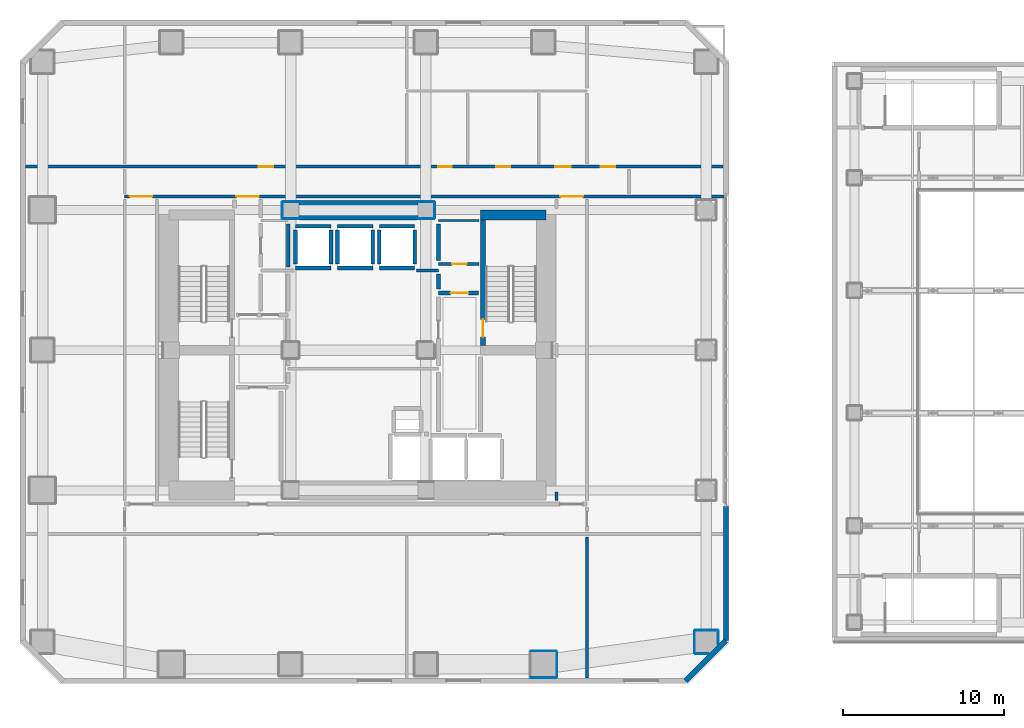
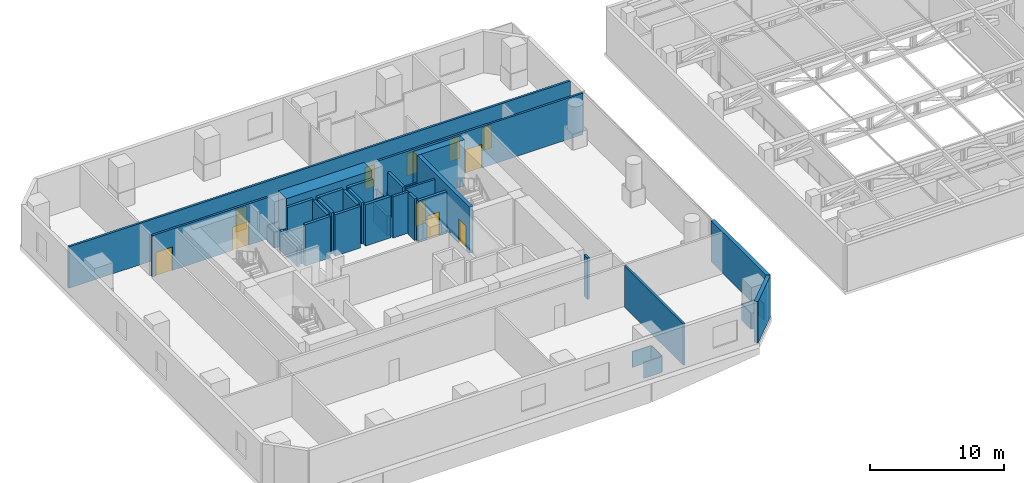
# One storey, part 20 of 25: 41 walls, 11 doors, 11 openings.
"""IFC4 building model written with IfcOpenShell, lengths in metres."""

from ifc_helpers import new_model, si_unit, direction, frame, frame_2d, origin, place, context, subcontext, project, spatial, rectangle, extrude, material, layer, layer_set, type_object, element, fill, save


model = new_model("IFC4")

# Units and contexts
model_context = context("Model", 3, precision=1e-05, world=origin(), true_north=direction((0.0, 1.0)))
body_context = subcontext(model_context, "Body", "Model", "MODEL_VIEW")
ifc_project = project(units=[si_unit("LENGTHUNIT", "METRE"), si_unit("AREAUNIT", "SQUARE_METRE"), si_unit("VOLUMEUNIT", "CUBIC_METRE"), si_unit("PLANEANGLEUNIT", "RADIAN"), si_unit("MASSUNIT", "GRAM", prefix="KILO")], contexts=[model_context])

# Site, building, storey
site_placement = place(None, origin())
site = spatial("IfcSite", under=ifc_project, at=site_placement, CompositionType="ELEMENT")
building_placement = place(site_placement, origin())
building = spatial("IfcBuilding", under=site, at=building_placement, Name="Solanera Arch Residences", CompositionType="ELEMENT")
storey_placement = place(building_placement, frame((0.0, 0.0, 17.800048828125)))
storey = spatial("IfcBuildingStorey", under=building, at=storey_placement, Name="L04", CompositionType="ELEMENT", Elevation=17.800048828125)

# Walls
ifc_material_1 = material(Name="Fire-Rated Gypsum Stud Partition", Category="gypsum")
ifc_layer_1 = layer(ifc_material_1, 0.06005859375)
ifc_layer_set_1 = layer_set([ifc_layer_1], Name="Fire-Rated Gypsum Stud Partition")
wall_type_1 = type_object("IfcWallType", Name="Column Acoustic Furring Wall 60", PredefinedType="PARTITIONING", material=ifc_layer_set_1)
for number, where, z_axis, x_axis, name in (
    (1, (20.300048828125, 38.867919921875, 0.0), (0.0, 0.0, 1.0), (1.0, 0.0, 0.0), "L04 Column Furring 3S"),
    (2, (20.300048828125, 39.931884765625, 0.0), (0.0, 0.0, 1.0), (1.0, 0.0, 0.0), "L04 Column Furring 3N"),
):
    element("IfcWall", number, at=place(storey_placement, frame(where, z_axis=z_axis, x_axis=x_axis)), inside=storey, type_object=wall_type_1, Name=name, PredefinedType="PARTITIONING", context=body_context, shape_type="SweptSolid", body=[
        extrude(rectangle(XDim=0.989990234375, YDim=0.06005859375, at=frame_2d((0.4951171875, 0.0))), origin(), (0.0, 0.0, 1.0), 1.449951171875),
    ])
wall_1_placement = place(storey_placement, frame((20.26806640625, 38.89990234375, 0.0), z_axis=(0.0, 0.0, 1.0), x_axis=(0.0, 1.0, 0.0)))
element("IfcWall", 3, at=wall_1_placement, inside=storey, type_object=wall_type_1, Name="L04 Column Furring 3W", PredefinedType="PARTITIONING", context=body_context, shape_type="SweptSolid", body=[
    extrude(rectangle(XDim=1.0, YDim=0.06005859375, at=frame_2d((0.5, 0.0))), origin(), (0.0, 0.0, 1.0), 1.449951171875),
])
for number, where, z_axis, x_axis, name in (
    (4, (28.7099609375, 38.867919921875, 0.0), (0.0, 0.0, 1.0), (1.0, 0.0, 0.0), "L04 Column Furring 4S"),
    (5, (28.7099609375, 39.931884765625, 0.0), (0.0, 0.0, 1.0), (1.0, 0.0, 0.0), "L04 Column Furring 4N"),
):
    element("IfcWall", number, at=place(storey_placement, frame(where, z_axis=z_axis, x_axis=x_axis)), inside=storey, type_object=wall_type_1, Name=name, PredefinedType="PARTITIONING", context=body_context, shape_type="SweptSolid", body=[
        extrude(rectangle(XDim=0.989990234375, YDim=0.06005859375, at=frame_2d((0.4951171875, 0.0))), origin(), (0.0, 0.0, 1.0), 1.449951171875),
    ])
wall_2_placement = place(storey_placement, frame((29.73193359375, 38.89990234375, 0.0), z_axis=(0.0, 0.0, 1.0), x_axis=(0.0, 1.0, 0.0)))
element("IfcWall", 6, at=wall_2_placement, inside=storey, type_object=wall_type_1, Name="L04 Column Furring 4E", PredefinedType="PARTITIONING", context=body_context, shape_type="SweptSolid", body=[
    extrude(rectangle(XDim=1.0, YDim=0.06005859375, at=frame_2d((0.5, 0.0))), origin(), (0.0, 0.0, 1.0), 1.449951171875),
])
for number, where, z_axis, x_axis, name in (
    (7, (35.699951171875, 10.367919921875, 0.0), (0.0, 0.0, 1.0), (1.0, 0.0, 0.0), "L04 Column Furring 10S"),
    (8, (35.699951171875, 12.031982421875, 0.0), (0.0, 0.0, 1.0), (1.0, 0.0, 0.0), "L04 Column Furring 10N"),
    (9, (37.33203125, 10.39990234375, 0.0), (0.0, 0.0, 1.0), (0.0, 1.0, 0.0), "L04 Column Furring 10E"),
):
    element("IfcWall", number, at=place(storey_placement, frame(where, z_axis=z_axis, x_axis=x_axis)), inside=storey, type_object=wall_type_1, Name=name, PredefinedType="PARTITIONING", context=body_context, shape_type="SweptSolid", body=[
        extrude(rectangle(XDim=1.60009765625, YDim=0.06005859375, at=frame_2d((0.800048828125, 0.0))), origin(), (0.0, 0.0, 1.0), 1.449951171875),
    ])
wall_3_placement = place(storey_placement, frame((45.89990234375, 11.867919921875, 0.0), z_axis=(0.0, 0.0, 1.0), x_axis=(1.0, 0.0, 0.0)))
element("IfcWall", 10, at=wall_3_placement, inside=storey, type_object=wall_type_1, Name="L04 Column Furring 22S", PredefinedType="PARTITIONING", context=body_context, shape_type="SweptSolid", body=[
    extrude(rectangle(XDim=0.861083984375, YDim=0.06005859375, at=frame_2d((0.4306640625, 0.0))), origin(), (0.0, 0.0, 1.0), 1.449951171875),
])
for number, where, z_axis, x_axis, name in (
    (11, (45.89990234375, 13.33203125, 0.0), (0.0, 0.0, 1.0), (1.0, 0.0, 0.0), "L04 Column Furring 22N"),
    (12, (45.867919921875, 11.89990234375, 0.0), (0.0, 0.0, 1.0), (0.0, 1.0, 0.0), "L04 Column Furring 22W"),
):
    element("IfcWall", number, at=place(storey_placement, frame(where, z_axis=z_axis, x_axis=x_axis)), inside=storey, type_object=wall_type_1, Name=name, PredefinedType="PARTITIONING", context=body_context, shape_type="SweptSolid", body=[
        extrude(rectangle(XDim=1.400146484375, YDim=0.06005859375, at=frame_2d((0.7001953125, 0.0))), origin(), (0.0, 0.0, 1.0), 1.449951171875),
    ])
wall_4_placement = place(storey_placement, frame((47.33203125, 12.43896484375, 0.0), z_axis=(0.0, 0.0, 1.0), x_axis=(0.0, 1.0, 0.0)))
element("IfcWall", 13, at=wall_4_placement, inside=storey, type_object=wall_type_1, Name="L04 Column Furring 22E", PredefinedType="PARTITIONING", context=body_context, shape_type="SweptSolid", body=[
    extrude(rectangle(XDim=0.861083984375, YDim=0.06005859375, at=frame_2d((0.4306640625, 0.0))), origin(), (0.0, 0.0, 1.0), 1.449951171875),
])
ifc_material_2 = material(Name="Concrete C55/67 (f'c = 60 MPa)", Category="concrete")
ifc_layer_2 = layer(ifc_material_2, 1.199951171875)
ifc_layer_set_2 = layer_set([ifc_layer_2], Name="Concrete C55/67 (f'c = 60 MPa)")
wall_type_2 = type_object("IfcWallType", Name="Core Shear Wall CW-1200", PredefinedType="SHEAR", material=ifc_layer_set_2)
wall_5_placement = place(storey_placement, frame((21.304931640625, 39.39990234375, 0.0), z_axis=(0.0, 0.0, 1.0), x_axis=(1.0, 0.0, 0.0)))
element("IfcWall", 14, at=wall_5_placement, inside=storey, type_object=wall_type_2, Name="L04 Central North Core Shear Wall", PredefinedType="SHEAR", context=body_context, shape_type="SweptSolid", body=[
    extrude(rectangle(XDim=7.39013671875, YDim=1.199951171875, at=frame_2d((3.695068359375, 0.0))), origin(), (0.0, 0.0, 1.0), 4.199951171875),
])

# Wall, opening, door
ifc_material_3 = material(Name="Concrete C40/50 (f'c = 45 MPa)", Category="concrete")
ifc_layer_3 = layer(ifc_material_3, 0.320068359375)
ifc_layer_set_3 = layer_set([ifc_layer_3], Name="Concrete C40/50 (f'c = 45 MPa)")
wall_type_3 = type_object("IfcWallType", Name="Core Shear Wall CW-320", PredefinedType="SHEAR", material=ifc_layer_set_3)
wall_6_placement = place(storey_placement, frame((32.739990234375, 31.0, 0.0), z_axis=(0.0, 0.0, 1.0), x_axis=(0.0, 1.0, 0.0)))
wall_6 = element("IfcWall", 15, at=wall_6_placement, inside=storey, type_object=wall_type_3, Name="L04 Stair ST-T2 West Shear Wall", PredefinedType="SHEAR", context=body_context, shape_type="SweptSolid", body=[
    extrude(rectangle(XDim=7.800048828125, YDim=0.320068359375, at=frame_2d((3.89990234375, 0.0))), origin(), (0.0, 0.0, 1.0), 4.199951171875),
])
opening_1_placement = place(wall_6_placement, frame((0.510009765625, 0.0, 0.0)))
opening_1 = element("IfcOpeningElement", 16, at=opening_1_placement, cuts=wall_6, Name="Opening DF-01", PredefinedType="OPENING", context=body_context, shape_type="SweptSolid", body=[
    extrude(rectangle(XDim=1.10009765625, YDim=2.14990234375, at=frame_2d((0.550048828125, 1.074951171875))), frame((0.0, 0.169921875, 0.0), z_axis=(0.0, -1.0, 0.0), x_axis=(1.0, 0.0, 0.0)), (0.0, 0.0, 1.0), 0.3401),
])
ifc_material_4 = material(Name="Fire-Rated Architectural Hardwood", Category="wood")
door_type_1 = type_object("IfcDoorType", Name="Stair Exit Fire Door DF-01", OperationType="NOTDEFINED", PredefinedType="DOOR", material=ifc_material_4)
door_1_placement = place(opening_1_placement, origin())
door_1 = element("IfcDoor", 17, at=door_1_placement, inside=storey, type_object=door_type_1, Name="DR-L04-STAIR-ST-T2", OperationType="SINGLE_SWING_LEFT", OverallHeight=2.14990234375, OverallWidth=1.10009765625, PredefinedType="DOOR", context=body_context, shape_type="SweptSolid", body=[
    extrude(rectangle(XDim=1.10009765625, YDim=2.14990234375, at=frame_2d((0.550048828125, 1.074951171875))), frame((0.0, 0.02490234375, 0.0), z_axis=(0.0, -1.0, 0.0), x_axis=(1.0, 0.0, 0.0)), (0.0, 0.0, 1.0), 0.050048828125),
])
fill(opening_1, door_1)

# Wall
ifc_material_5 = material(Name="Concrete C40/50 (f'c = 45 MPa)", Category="concrete")
ifc_layer_4 = layer(ifc_material_5, 0.60009765625)
ifc_layer_set_4 = layer_set([ifc_layer_4], Name="Concrete C40/50 (f'c = 45 MPa)")
wall_type_4 = type_object("IfcWallType", Name="Core Shear Wall CW-600", PredefinedType="SHEAR", material=ifc_layer_set_4)
wall_7_placement = place(storey_placement, frame((32.580078125, 39.10009765625, 0.0), z_axis=(0.0, 0.0, 1.0), x_axis=(1.0, 0.0, 0.0)))
element("IfcWall", 18, at=wall_7_placement, inside=storey, type_object=wall_type_4, Name="L04 North-East Core Shear Wall", PredefinedType="SHEAR", context=body_context, shape_type="SweptSolid", body=[
    extrude(rectangle(XDim=4.079833984375, YDim=0.60009765625, at=frame_2d((2.0400390625, 0.0))), origin(), (0.0, 0.0, 1.0), 4.199951171875),
])

# Wall, opening, door
ifc_material_6 = material(Name="Autoclaved Aerated Concrete Blockwork", Category="masonry")
ifc_layer_5 = layer(ifc_material_6, 0.179931640625)
ifc_layer_set_5 = layer_set([ifc_layer_5], Name="Autoclaved Aerated Concrete Blockwork")
wall_type_5 = type_object("IfcWallType", Name="Corridor Fire Partition 180", PredefinedType="PARTITIONING", material=ifc_layer_set_5)
wall_8_placement = place(storey_placement, frame((29.97509765625, 36.050048828125, 0.0), z_axis=(0.0, 0.0, 1.0), x_axis=(1.0, 0.0, 0.0)))
wall_8 = element("IfcWall", 19, at=wall_8_placement, inside=storey, type_object=wall_type_5, Name="L04 Interior Partition H14", PredefinedType="PARTITIONING", context=body_context, shape_type="SweptSolid", body=[
    extrude(rectangle(XDim=2.5048828125, YDim=0.179931640625, at=frame_2d((1.25244140625, 0.0))), origin(), (0.0, 0.0, 1.0), 3.780029296875),
])
opening_2_placement = place(wall_8_placement, frame((0.85205078125, 0.0, 0.0)))
opening_2 = element("IfcOpeningElement", 20, at=opening_2_placement, cuts=wall_8, Name="Opening DI-02", PredefinedType="OPENING", context=body_context, shape_type="SweptSolid", body=[
    extrude(rectangle(XDim=0.89990234375, YDim=2.10009765625, at=frame_2d((0.449951171875, 1.050048828125))), frame((0.0, 0.10009765625, 0.0), z_axis=(0.0, -1.0, 0.0), x_axis=(1.0, 0.0, 0.0)), (0.0, 0.0, 1.0), 0.1999),
])
ifc_material_7 = material(Name="Fire-Rated Architectural Hardwood", Category="wood")
door_type_2 = type_object("IfcDoorType", Name="Suite Room Swing Door DI-02", OperationType="NOTDEFINED", PredefinedType="DOOR", material=ifc_material_7)
door_2_placement = place(opening_2_placement, origin())
door_2 = element("IfcDoor", 21, at=door_2_placement, inside=storey, type_object=door_type_2, Name="DR-L04-IN-024", OperationType="SINGLE_SWING_LEFT", OverallHeight=2.10009765625, OverallWidth=0.89990234375, PredefinedType="DOOR", context=body_context, shape_type="SweptSolid", body=[
    extrude(rectangle(XDim=0.89990234375, YDim=2.10009765625, at=frame_2d((0.449951171875, 1.050048828125))), frame((0.0, 0.02490234375, 0.0), z_axis=(0.0, -1.0, 0.0), x_axis=(1.0, 0.0, 0.0)), (0.0, 0.0, 1.0), 0.050048828125),
])
fill(opening_2, door_2)

# Wall, openings, doors
wall_9_placement = place(storey_placement, frame((10.5, 40.25, 0.0), z_axis=(0.0, 0.0, 1.0), x_axis=(1.0, 0.0, 0.0)))
wall_9 = element("IfcWall", 22, at=wall_9_placement, inside=storey, type_object=wall_type_5, Name="L04 Interior Partition H15", PredefinedType="PARTITIONING", context=body_context, shape_type="SweptSolid", body=[
    extrude(rectangle(XDim=37.199951171875, YDim=0.179931640625, at=frame_2d((18.60009765625, 0.0))), origin(), (0.0, 0.0, 1.0), 3.780029296875),
])
opening_3_placement = place(wall_9_placement, frame((6.93505859375, 0.0, 0.0)))
opening_3 = element("IfcOpeningElement", 23, at=opening_3_placement, cuts=wall_9, Name="Opening DF-03", PredefinedType="OPENING", context=body_context, shape_type="SweptSolid", body=[
    extrude(rectangle(XDim=1.39990234375, YDim=2.14990234375, at=frame_2d((0.699951171875, 1.074951171875))), frame((0.0, 0.10009765625, 0.0), z_axis=(0.0, -1.0, 0.0), x_axis=(1.0, 0.0, 0.0)), (0.0, 0.0, 1.0), 0.1999),
])
opening_4_placement = place(wall_9_placement, frame((0.323974609375, 0.0, 0.0)))
opening_4 = element("IfcOpeningElement", 24, at=opening_4_placement, cuts=wall_9, Name="Opening DF-03", PredefinedType="OPENING", context=body_context, shape_type="SweptSolid", body=[
    extrude(rectangle(XDim=1.39990234375, YDim=2.14990234375, at=frame_2d((0.699951171875, 1.074951171875))), frame((0.0, 0.10009765625, 0.0), z_axis=(0.0, -1.0, 0.0), x_axis=(1.0, 0.0, 0.0)), (0.0, 0.0, 1.0), 0.1999),
])
opening_5_placement = place(wall_9_placement, frame((27.050048828125, 0.0, 0.0)))
opening_5 = element("IfcOpeningElement", 25, at=opening_5_placement, cuts=wall_9, Name="Opening DF-03", PredefinedType="OPENING", context=body_context, shape_type="SweptSolid", body=[
    extrude(rectangle(XDim=1.39990234375, YDim=2.14990234375, at=frame_2d((0.699951171875, 1.074951171875))), frame((0.0, 0.10009765625, 0.0), z_axis=(0.0, -1.0, 0.0), x_axis=(1.0, 0.0, 0.0)), (0.0, 0.0, 1.0), 0.1999),
])
ifc_material_8 = material(Name="Fire-Rated Architectural Hardwood", Category="wood")
door_type_3 = type_object("IfcDoorType", Name="Corridor Smoke Door DF-03", OperationType="NOTDEFINED", PredefinedType="DOOR", material=ifc_material_8)
door_3_placement = place(opening_3_placement, origin())
door_3 = element("IfcDoor", 26, at=door_3_placement, inside=storey, type_object=door_type_3, Name="DR-L04-IN-013", OperationType="SINGLE_SWING_RIGHT", OverallHeight=2.14990234375, OverallWidth=1.39990234375, PredefinedType="DOOR", context=body_context, shape_type="SweptSolid", body=[
    extrude(rectangle(XDim=1.39990234375, YDim=2.14990234375, at=frame_2d((0.699951171875, 1.074951171875))), frame((0.0, 0.02490234375, 0.0), z_axis=(0.0, -1.0, 0.0), x_axis=(1.0, 0.0, 0.0)), (0.0, 0.0, 1.0), 0.050048828125),
])
fill(opening_3, door_3)
door_4_placement = place(opening_4_placement, origin())
door_4 = element("IfcDoor", 27, at=door_4_placement, inside=storey, type_object=door_type_3, Name="DR-L04-IN-016", OperationType="SINGLE_SWING_LEFT", OverallHeight=2.14990234375, OverallWidth=1.39990234375, PredefinedType="DOOR", context=body_context, shape_type="SweptSolid", body=[
    extrude(rectangle(XDim=1.39990234375, YDim=2.14990234375, at=frame_2d((0.699951171875, 1.074951171875))), frame((0.0, 0.02490234375, 0.0), z_axis=(0.0, -1.0, 0.0), x_axis=(1.0, 0.0, 0.0)), (0.0, 0.0, 1.0), 0.050048828125),
])
fill(opening_4, door_4)
door_5_placement = place(opening_5_placement, origin())
door_5 = element("IfcDoor", 28, at=door_5_placement, inside=storey, type_object=door_type_3, Name="DR-L04-IN-017", OperationType="SINGLE_SWING_RIGHT", OverallHeight=2.14990234375, OverallWidth=1.39990234375, PredefinedType="DOOR", context=body_context, shape_type="SweptSolid", body=[
    extrude(rectangle(XDim=1.39990234375, YDim=2.14990234375, at=frame_2d((0.699951171875, 1.074951171875))), frame((0.0, 0.02490234375, 0.0), z_axis=(0.0, -1.0, 0.0), x_axis=(1.0, 0.0, 0.0)), (0.0, 0.0, 1.0), 0.050048828125),
])
fill(opening_5, door_5)

wall_10_placement = place(storey_placement, frame((4.35205078125, 42.10009765625, 0.0), z_axis=(0.0, 0.0, 1.0), x_axis=(1.0, 0.0, 0.0)))
wall_10 = element("IfcWall", 29, at=wall_10_placement, inside=storey, type_object=wall_type_5, Name="L04 Interior Partition H17", PredefinedType="PARTITIONING", context=body_context, shape_type="SweptSolid", body=[
    extrude(rectangle(XDim=43.2958984375, YDim=0.179931640625, at=frame_2d((21.64794921875, 0.0))), origin(), (0.0, 0.0, 1.0), 3.780029296875),
])
opening_6_placement = place(wall_10_placement, frame((14.471923828125, 0.0, 0.0)))
opening_6 = element("IfcOpeningElement", 30, at=opening_6_placement, cuts=wall_10, Name="Opening DI-02", PredefinedType="OPENING", context=body_context, shape_type="SweptSolid", body=[
    extrude(rectangle(XDim=0.89990234375, YDim=2.10009765625, at=frame_2d((0.449951171875, 1.050048828125))), frame((0.0, 0.10009765625, 0.0), z_axis=(0.0, -1.0, 0.0), x_axis=(1.0, 0.0, 0.0)), (0.0, 0.0, 1.0), 0.1999),
])
opening_7_placement = place(wall_10_placement, frame((25.597900390625, 0.0, 0.0)))
opening_7 = element("IfcOpeningElement", 31, at=opening_7_placement, cuts=wall_10, Name="Opening DI-05", PredefinedType="OPENING", context=body_context, shape_type="SweptSolid", body=[
    extrude(rectangle(XDim=0.860107421875, YDim=2.02001953125, at=frame_2d((0.43017578125, 1.010009765625))), frame((0.0, 0.10009765625, 0.0), z_axis=(0.0, -1.0, 0.0), x_axis=(1.0, 0.0, 0.0)), (0.0, 0.0, 1.0), 0.1999),
])
opening_8_placement = place(wall_10_placement, frame((29.218017578125, 0.0, 0.0)))
opening_8 = element("IfcOpeningElement", 32, at=opening_8_placement, cuts=wall_10, Name="Opening DI-05", PredefinedType="OPENING", context=body_context, shape_type="SweptSolid", body=[
    extrude(rectangle(XDim=0.860107421875, YDim=2.02001953125, at=frame_2d((0.43017578125, 1.010009765625))), frame((0.0, 0.10009765625, 0.0), z_axis=(0.0, -1.0, 0.0), x_axis=(1.0, 0.0, 0.0)), (0.0, 0.0, 1.0), 0.1999),
])
opening_9_placement = place(wall_10_placement, frame((32.873046875, 0.0, 0.0)))
opening_9 = element("IfcOpeningElement", 33, at=opening_9_placement, cuts=wall_10, Name="Opening DI-04", PredefinedType="OPENING", context=body_context, shape_type="SweptSolid", body=[
    extrude(rectangle(XDim=0.949951171875, YDim=2.10009765625, at=frame_2d((0.47509765625, 1.050048828125))), frame((0.0, 0.10009765625, 0.0), z_axis=(0.0, -1.0, 0.0), x_axis=(1.0, 0.0, 0.0)), (0.0, 0.0, 1.0), 0.1999),
])
opening_10_placement = place(wall_10_placement, frame((35.68798828125, 0.0, 0.0)))
opening_10 = element("IfcOpeningElement", 34, at=opening_10_placement, cuts=wall_10, Name="Opening DI-02", PredefinedType="OPENING", context=body_context, shape_type="SweptSolid", body=[
    extrude(rectangle(XDim=0.89990234375, YDim=2.10009765625, at=frame_2d((0.449951171875, 1.050048828125))), frame((0.0, 0.10009765625, 0.0), z_axis=(0.0, -1.0, 0.0), x_axis=(1.0, 0.0, 0.0)), (0.0, 0.0, 1.0), 0.1999),
])
ifc_material_9 = material(Name="Fire-Rated Architectural Hardwood", Category="wood")
door_type_4 = type_object("IfcDoorType", Name="Accessible Restroom Door DI-04", OperationType="NOTDEFINED", PredefinedType="DOOR", material=ifc_material_9)
door_6_placement = place(opening_9_placement, origin())
door_6 = element("IfcDoor", 35, at=door_6_placement, inside=storey, type_object=door_type_4, Name="DR-L04-IN-033", OperationType="SINGLE_SWING_RIGHT", OverallHeight=2.10009765625, OverallWidth=0.949951171875, PredefinedType="DOOR", context=body_context, shape_type="SweptSolid", body=[
    extrude(rectangle(XDim=0.949951171875, YDim=2.10009765625, at=frame_2d((0.47509765625, 1.050048828125))), frame((0.0, 0.02490234375, 0.0), z_axis=(0.0, -1.0, 0.0), x_axis=(1.0, 0.0, 0.0)), (0.0, 0.0, 1.0), 0.050048828125),
])
fill(opening_9, door_6)
ifc_material_10 = material(Name="Fire-Rated Architectural Hardwood", Category="wood")
door_type_5 = type_object("IfcDoorType", Name="Bathroom Swing Door DI-05", OperationType="NOTDEFINED", PredefinedType="DOOR", material=ifc_material_10)
door_7_placement = place(opening_7_placement, origin())
door_7 = element("IfcDoor", 36, at=door_7_placement, inside=storey, type_object=door_type_5, Name="DR-L04-IN-031", OperationType="SINGLE_SWING_RIGHT", OverallHeight=2.02001953125, OverallWidth=0.860107421875, PredefinedType="DOOR", context=body_context, shape_type="SweptSolid", body=[
    extrude(rectangle(XDim=0.860107421875, YDim=2.02001953125, at=frame_2d((0.43017578125, 1.010009765625))), frame((0.0, 0.02490234375, 0.0), z_axis=(0.0, -1.0, 0.0), x_axis=(1.0, 0.0, 0.0)), (0.0, 0.0, 1.0), 0.050048828125),
])
fill(opening_7, door_7)
door_8_placement = place(opening_8_placement, origin())
door_8 = element("IfcDoor", 37, at=door_8_placement, inside=storey, type_object=door_type_5, Name="DR-L04-IN-032", OperationType="SINGLE_SWING_LEFT", OverallHeight=2.02001953125, OverallWidth=0.860107421875, PredefinedType="DOOR", context=body_context, shape_type="SweptSolid", body=[
    extrude(rectangle(XDim=0.860107421875, YDim=2.02001953125, at=frame_2d((0.43017578125, 1.010009765625))), frame((0.0, 0.02490234375, 0.0), z_axis=(0.0, -1.0, 0.0), x_axis=(1.0, 0.0, 0.0)), (0.0, 0.0, 1.0), 0.050048828125),
])
fill(opening_8, door_8)
door_9_placement = place(opening_6_placement, origin())
door_9 = element("IfcDoor", 38, at=door_9_placement, inside=storey, type_object=door_type_2, Name="DR-L04-IN-029", OperationType="SINGLE_SWING_RIGHT", OverallHeight=2.10009765625, OverallWidth=0.89990234375, PredefinedType="DOOR", context=body_context, shape_type="SweptSolid", body=[
    extrude(rectangle(XDim=0.89990234375, YDim=2.10009765625, at=frame_2d((0.449951171875, 1.050048828125))), frame((0.0, 0.02490234375, 0.0), z_axis=(0.0, -1.0, 0.0), x_axis=(1.0, 0.0, 0.0)), (0.0, 0.0, 1.0), 0.050048828125),
])
fill(opening_6, door_9)
door_10_placement = place(opening_10_placement, origin())
door_10 = element("IfcDoor", 39, at=door_10_placement, inside=storey, type_object=door_type_2, Name="DR-L04-IN-034", OperationType="SINGLE_SWING_LEFT", OverallHeight=2.10009765625, OverallWidth=0.89990234375, PredefinedType="DOOR", context=body_context, shape_type="SweptSolid", body=[
    extrude(rectangle(XDim=0.89990234375, YDim=2.10009765625, at=frame_2d((0.449951171875, 1.050048828125))), frame((0.0, 0.02490234375, 0.0), z_axis=(0.0, -1.0, 0.0), x_axis=(1.0, 0.0, 0.0)), (0.0, 0.0, 1.0), 0.050048828125),
])
fill(opening_10, door_10)

# Walls
wall_11_placement = place(storey_placement, frame((37.300048828125, 21.367919921875, 0.0), z_axis=(0.0, 0.0, 1.0), x_axis=(0.0, 1.0, 0.0)))
element("IfcWall", 40, at=wall_11_placement, inside=storey, type_object=wall_type_5, Name="L04 Interior Partition V12 1", PredefinedType="PARTITIONING", context=body_context, shape_type="SweptSolid", body=[
    extrude(rectangle(XDim=0.5400390625, YDim=0.179931640625, at=frame_2d((0.27001953125, 0.0))), origin(), (0.0, 0.0, 1.0), 3.780029296875),
])
wall_12_placement = place(storey_placement, frame((39.199951171875, 10.35205078125, 0.0), z_axis=(0.0, 0.0, 1.0), x_axis=(0.0, 1.0, 0.0)))
element("IfcWall", 41, at=wall_12_placement, inside=storey, type_object=wall_type_5, Name="L04 Interior Partition V13 1", PredefinedType="PARTITIONING", context=body_context, shape_type="SweptSolid", body=[
    extrude(rectangle(XDim=8.760009765625, YDim=0.179931640625, at=frame_2d((4.3798828125, 0.0))), origin(), (0.0, 0.0, 1.0), 3.780029296875),
])
ifc_material_11 = material(Name="Precast Concrete C35/45", Category="concrete")
ifc_layer_6 = layer(ifc_material_11, 0.320068359375)
ifc_layer_set_6 = layer_set([ifc_layer_6], Name="Precast Concrete C35/45")
wall_type_6 = type_object("IfcWallType", Name="Exterior Wall Precast Masonry-Frame 320", PredefinedType="STANDARD", material=ifc_layer_set_6)
wall_13_placement = place(storey_placement, frame((47.820068359375, 21.0, 0.0), z_axis=(0.0, 0.0, 1.0), x_axis=(0.0, -1.0, 0.0)))
element("IfcWall", 42, at=wall_13_placement, inside=storey, type_object=wall_type_6, Name="L04 Podium East Pier 2", PredefinedType="STANDARD", context=body_context, shape_type="SweptSolid", body=[
    extrude(rectangle(XDim=8.320068359375, YDim=0.320068359375, at=frame_2d((4.16015625, 0.0))), origin(), (0.0, 0.0, 1.0), 3.780029296875),
])
wall_14_placement = place(storey_placement, frame((47.820068359375, 12.679931640625, 0.0), z_axis=(0.0, 0.0, 1.0), x_axis=(-0.707106781187, -0.707106781187, 0.0)))
element("IfcWall", 43, at=wall_14_placement, inside=storey, type_object=wall_type_6, Name="L04 Podium Precast Masonry-Frame Wall 6", PredefinedType="STANDARD", context=body_context, shape_type="SweptSolid", body=[
    extrude(rectangle(XDim=3.53564453125, YDim=0.320068359375, at=frame_2d((1.767822265625, 0.0))), origin(), (0.0, 0.0, 1.0), 3.780029296875),
])
ifc_material_12 = material(Name="Autoclaved Aerated Concrete Blockwork", Category="masonry")
ifc_layer_7 = layer(ifc_material_12, 0.199951171875)
ifc_layer_set_7 = layer_set([ifc_layer_7], Name="Autoclaved Aerated Concrete Blockwork")
wall_type_7 = type_object("IfcWallType", Name="Party Wall Acoustic 200", PredefinedType="PARTITIONING", material=ifc_layer_set_7)
wall_15_placement = place(storey_placement, frame((28.60400390625, 35.64990234375, 0.0), z_axis=(0.0, 0.0, 1.0), x_axis=(1.0, 0.0, 0.0)))
element("IfcWall", 44, at=wall_15_placement, inside=storey, type_object=wall_type_7, Name="L04 Interior Partition H6 2", PredefinedType="PARTITIONING", context=body_context, shape_type="SweptSolid", body=[
    extrude(rectangle(XDim=1.37109375, YDim=0.199951171875, at=frame_2d((0.685546875, 0.0))), origin(), (0.0, 0.0, 1.0), 3.780029296875),
])
ifc_material_13 = material(Name="Autoclaved Aerated Concrete Blockwork", Category="masonry")
ifc_layer_8 = layer(ifc_material_13, 0.239990234375)
ifc_layer_set_8 = layer_set([ifc_layer_8], Name="Autoclaved Aerated Concrete Blockwork")
wall_type_8 = type_object("IfcWallType", Name="Shaft Wall Fire-Rated 240", PredefinedType="PARTITIONING", material=ifc_layer_set_8)
for number, where, z_axis, x_axis, name in (
    (45, (21.10009765625, 35.800048828125, 0.0), (0.0, 0.0, 1.0), (1.0, 0.0, 0.0), "L04 Lift PL-L1 Hoistway Wall S"),
    (46, (21.10009765625, 38.39990234375, 0.0), (0.0, 0.0, 1.0), (1.0, 0.0, 0.0), "L04 Lift PL-L1 Hoistway Wall N"),
):
    element("IfcWall", number, at=place(storey_placement, frame(where, z_axis=z_axis, x_axis=x_axis)), inside=storey, type_object=wall_type_8, Name=name, PredefinedType="PARTITIONING", context=body_context, shape_type="SweptSolid", body=[
        extrude(rectangle(XDim=2.199951171875, YDim=0.239990234375, at=frame_2d((1.10009765625, 0.0))), origin(), (0.0, 0.0, 1.0), 3.780029296875),
    ])
wall_16_placement = place(storey_placement, frame((21.10009765625, 36.048095703125, 0.0), z_axis=(0.0, 0.0, 1.0), x_axis=(0.0, 1.0, 0.0)))
element("IfcWall", 47, at=wall_16_placement, inside=storey, type_object=wall_type_8, Name="L04 Lift PL-L1 Hoistway Wall W", PredefinedType="PARTITIONING", context=body_context, shape_type="SweptSolid", body=[
    extrude(rectangle(XDim=2.10400390625, YDim=0.239990234375, at=frame_2d((1.052001953125, 0.0))), origin(), (0.0, 0.0, 1.0), 1.784912109375),
])
wall_17_placement = place(storey_placement, frame((23.300048828125, 36.048095703125, 0.0), z_axis=(0.0, 0.0, 1.0), x_axis=(0.0, 1.0, 0.0)))
element("IfcWall", 48, at=wall_17_placement, inside=storey, type_object=wall_type_8, Name="L04 Lift PL-L1 Hoistway Wall E", PredefinedType="PARTITIONING", context=body_context, shape_type="SweptSolid", body=[
    extrude(rectangle(XDim=2.10400390625, YDim=0.239990234375, at=frame_2d((1.052001953125, 0.0))), origin(), (0.0, 0.0, 1.0), 3.780029296875),
])
for number, where, z_axis, x_axis, name in (
    (49, (23.699951171875, 35.800048828125, 0.0), (0.0, 0.0, 1.0), (1.0, 0.0, 0.0), "L04 Lift PL-L2 Hoistway Wall S"),
    (50, (23.699951171875, 38.39990234375, 0.0), (0.0, 0.0, 1.0), (1.0, 0.0, 0.0), "L04 Lift PL-L2 Hoistway Wall N"),
):
    element("IfcWall", number, at=place(storey_placement, frame(where, z_axis=z_axis, x_axis=x_axis)), inside=storey, type_object=wall_type_8, Name=name, PredefinedType="PARTITIONING", context=body_context, shape_type="SweptSolid", body=[
        extrude(rectangle(XDim=2.199951171875, YDim=0.239990234375, at=frame_2d((1.10009765625, 0.0))), origin(), (0.0, 0.0, 1.0), 3.780029296875),
    ])
for number, where, z_axis, x_axis, name in (
    (51, (23.699951171875, 36.048095703125, 0.0), (0.0, 0.0, 1.0), (0.0, 1.0, 0.0), "L04 Lift PL-L2 Hoistway Wall W"),
    (52, (25.89990234375, 36.048095703125, 0.0), (0.0, 0.0, 1.0), (0.0, 1.0, 0.0), "L04 Lift PL-L2 Hoistway Wall E"),
):
    element("IfcWall", number, at=place(storey_placement, frame(where, z_axis=z_axis, x_axis=x_axis)), inside=storey, type_object=wall_type_8, Name=name, PredefinedType="PARTITIONING", context=body_context, shape_type="SweptSolid", body=[
        extrude(rectangle(XDim=2.10400390625, YDim=0.239990234375, at=frame_2d((1.052001953125, 0.0))), origin(), (0.0, 0.0, 1.0), 3.780029296875),
    ])
for number, where, z_axis, x_axis, name in (
    (53, (26.300048828125, 35.800048828125, 0.0), (0.0, 0.0, 1.0), (1.0, 0.0, 0.0), "L04 Lift PL-L3 Hoistway Wall S"),
    (54, (26.300048828125, 38.39990234375, 0.0), (0.0, 0.0, 1.0), (1.0, 0.0, 0.0), "L04 Lift PL-L3 Hoistway Wall N"),
):
    element("IfcWall", number, at=place(storey_placement, frame(where, z_axis=z_axis, x_axis=x_axis)), inside=storey, type_object=wall_type_8, Name=name, PredefinedType="PARTITIONING", context=body_context, shape_type="SweptSolid", body=[
        extrude(rectangle(XDim=2.199951171875, YDim=0.239990234375, at=frame_2d((1.10009765625, 0.0))), origin(), (0.0, 0.0, 1.0), 3.780029296875),
    ])
wall_18_placement = place(storey_placement, frame((26.300048828125, 36.048095703125, 0.0), z_axis=(0.0, 0.0, 1.0), x_axis=(0.0, 1.0, 0.0)))
element("IfcWall", 55, at=wall_18_placement, inside=storey, type_object=wall_type_8, Name="L04 Lift PL-L3 Hoistway Wall W", PredefinedType="PARTITIONING", context=body_context, shape_type="SweptSolid", body=[
    extrude(rectangle(XDim=2.10400390625, YDim=0.239990234375, at=frame_2d((1.052001953125, 0.0))), origin(), (0.0, 0.0, 1.0), 3.780029296875),
])
wall_19_placement = place(storey_placement, frame((28.5, 36.048095703125, 0.0), z_axis=(0.0, 0.0, 1.0), x_axis=(0.0, 1.0, 0.0)))
element("IfcWall", 56, at=wall_19_placement, inside=storey, type_object=wall_type_8, Name="L04 Lift PL-L3 Hoistway Wall E", PredefinedType="PARTITIONING", context=body_context, shape_type="SweptSolid", body=[
    extrude(rectangle(XDim=2.10400390625, YDim=0.239990234375, at=frame_2d((1.052001953125, 0.0))), origin(), (0.0, 0.0, 1.0), 1.784912109375),
])

# Wall, opening, door
wall_20_placement = place(storey_placement, frame((29.97509765625, 34.25, 0.0), z_axis=(0.0, 0.0, 1.0), x_axis=(1.0, 0.0, 0.0)))
wall_20 = element("IfcWall", 57, at=wall_20_placement, inside=storey, type_object=wall_type_8, Name="L04 Interior Partition H5", PredefinedType="PARTITIONING", context=body_context, shape_type="SweptSolid", body=[
    extrude(rectangle(XDim=2.474853515625, YDim=0.239990234375, at=frame_2d((1.2373046875, 0.0))), origin(), (0.0, 0.0, 1.0), 3.780029296875),
])
opening_11_placement = place(wall_20_placement, frame((0.751953125, 0.0, 0.0)))
opening_11 = element("IfcOpeningElement", 58, at=opening_11_placement, cuts=wall_20, Name="Opening DF-02", PredefinedType="OPENING", context=body_context, shape_type="SweptSolid", body=[
    extrude(rectangle(XDim=1.10009765625, YDim=2.14990234375, at=frame_2d((0.550048828125, 1.074951171875))), frame((0.0, 0.1298828125, 0.0), z_axis=(0.0, -1.0, 0.0), x_axis=(1.0, 0.0, 0.0)), (0.0, 0.0, 1.0), 0.26),
])
ifc_material_14 = material(Name="Fire-Rated Architectural Hardwood", Category="wood")
door_type_6 = type_object("IfcDoorType", Name="Firefighting Lobby Fire Door DF-02", OperationType="NOTDEFINED", PredefinedType="DOOR", material=ifc_material_14)
door_11_placement = place(opening_11_placement, origin())
door_11 = element("IfcDoor", 59, at=door_11_placement, inside=storey, type_object=door_type_6, Name="DR-L04-IN-011", OperationType="SINGLE_SWING_RIGHT", OverallHeight=2.14990234375, OverallWidth=1.10009765625, PredefinedType="DOOR", context=body_context, shape_type="SweptSolid", body=[
    extrude(rectangle(XDim=1.10009765625, YDim=2.14990234375, at=frame_2d((0.550048828125, 1.074951171875))), frame((0.0, 0.02490234375, 0.0), z_axis=(0.0, -1.0, 0.0), x_axis=(1.0, 0.0, 0.0)), (0.0, 0.0, 1.0), 0.050048828125),
])
fill(opening_11, door_11)

# Walls
wall_21_placement = place(storey_placement, frame((20.64990234375, 35.8779296875, 0.0), z_axis=(0.0, 0.0, 1.0), x_axis=(0.0, 1.0, 0.0)))
element("IfcWall", 60, at=wall_21_placement, inside=storey, type_object=wall_type_8, Name="L04 Interior Partition V3 5", PredefinedType="PARTITIONING", context=body_context, shape_type="SweptSolid", body=[
    extrude(rectangle(XDim=2.674072265625, YDim=0.239990234375, at=frame_2d((1.3369140625, 0.0))), origin(), (0.0, 0.0, 1.0), 1.784912109375),
])
wall_22_placement = place(storey_placement, frame((29.97509765625, 34.498046875, 0.0), z_axis=(0.0, 0.0, 1.0), x_axis=(0.0, 1.0, 0.0)))
element("IfcWall", 61, at=wall_22_placement, inside=storey, type_object=wall_type_8, Name="L04 Interior Partition V4 3", PredefinedType="PARTITIONING", context=body_context, shape_type="SweptSolid", body=[
    extrude(rectangle(XDim=0.924072265625, YDim=0.239990234375, at=frame_2d((0.4619140625, 0.0))), origin(), (0.0, 0.0, 1.0), 3.780029296875),
])
wall_23_placement = place(storey_placement, frame((29.97509765625, 36.26806640625, 0.0), z_axis=(0.0, 0.0, 1.0), x_axis=(0.0, 1.0, 0.0)))
element("IfcWall", 62, at=wall_23_placement, inside=storey, type_object=wall_type_8, Name="L04 Interior Partition V4 4", PredefinedType="PARTITIONING", context=body_context, shape_type="SweptSolid", body=[
    extrude(rectangle(XDim=2.283935546875, YDim=0.239990234375, at=frame_2d((1.14208984375, 0.0))), origin(), (0.0, 0.0, 1.0), 3.780029296875),
])
ifc_material_15 = material(Name="Autoclaved Aerated Concrete Blockwork", Category="masonry")
ifc_layer_9 = layer(ifc_material_15, 0.139892578125)
ifc_layer_set_9 = layer_set([ifc_layer_9], Name="Autoclaved Aerated Concrete Blockwork")
wall_type_9 = type_object("IfcWallType", Name="Wet-Room Partition 140", PredefinedType="PARTITIONING", material=ifc_layer_set_9)
wall_24_placement = place(storey_placement, frame((29.97509765625, 38.75, 0.0), z_axis=(0.0, 0.0, 1.0), x_axis=(1.0, 0.0, 0.0)))
element("IfcWall", 63, at=wall_24_placement, inside=storey, type_object=wall_type_9, Name="L04 Interior Partition H19", PredefinedType="PARTITIONING", context=body_context, shape_type="SweptSolid", body=[
    extrude(rectangle(XDim=2.52490234375, YDim=0.139892578125, at=frame_2d((1.262451171875, 0.0))), origin(), (0.0, 0.0, 1.0), 1.784912109375),
])

save(model, "model.ifc")
